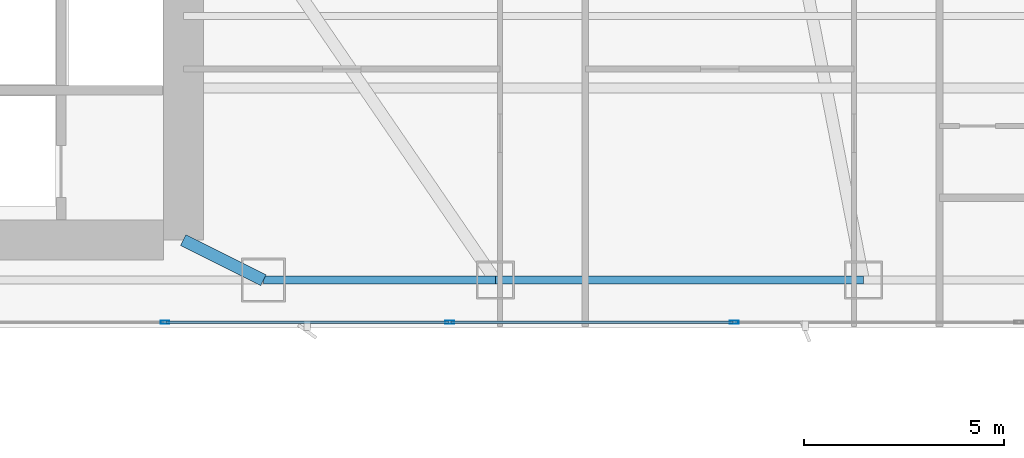
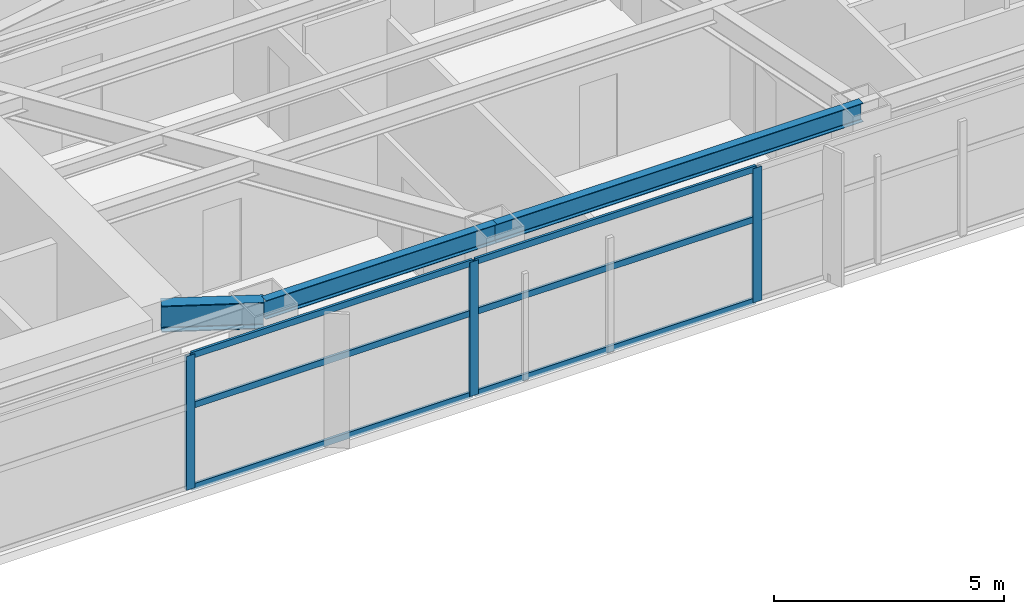
# One storey, part 12 of 29: 9 members, 3 beams, 1 element without a shape of its own.
"""IFC4 building model written with IfcOpenShell, lengths in metres."""

from ifc_helpers import new_model, si_unit, direction, frame, origin, origin_2d, place, context, subcontext, project, spatial, hollow_rectangle, i_section, extrude, material, layer, layer_set, material_profile, profile_set, type_object, element, aggregate, save


model = new_model("IFC4")

# Units and contexts
model_context = context("Model", 3, precision=1e-05, world=origin(), true_north=direction((0.0, 1.0)))
body_context = subcontext(model_context, "Body", "Model", "MODEL_VIEW")
ifc_project = project(units=[si_unit("LENGTHUNIT", "METRE"), si_unit("AREAUNIT", "SQUARE_METRE"), si_unit("VOLUMEUNIT", "CUBIC_METRE"), si_unit("PLANEANGLEUNIT", "RADIAN"), si_unit("MASSUNIT", "GRAM", prefix="KILO")], contexts=[model_context])

# Site, building, storey
site_placement = place(None, origin())
site = spatial("IfcSite", under=ifc_project, at=site_placement, CompositionType="ELEMENT")
building_placement = place(site_placement, origin())
building = spatial("IfcBuilding", under=site, at=building_placement, Name="Calvorn Quay Hotel", CompositionType="ELEMENT")
storey_placement = place(building_placement, frame((0.0, 0.0, 69.800048828125)))
storey = spatial("IfcBuildingStorey", under=building, at=storey_placement, Name="L16", CompositionType="ELEMENT", Elevation=69.800048828125)

# Beams
ifc_material_1 = material(Name="Steel Q390GJC", Category="steel")
ifc_material_profile_1 = material_profile(ifc_material_1, i_section(OverallWidth=0.300048828125, OverallDepth=0.699951171875, WebThickness=0.012939453125, FlangeThickness=0.02392578125, FilletRadius=0.02392578125, at=origin_2d()), Name="HN700x300x13x24")
ifc_profile_set_1 = profile_set([ifc_material_profile_1], Name="Steel Q390GJC")
beam_type_1 = type_object("IfcBeamType", Name="BM-GIRD-MAIN", PredefinedType="BEAM", material=ifc_profile_set_1)
beam_1_placement = place(storey_placement, frame((34.39990234375, 3.60009765625, 3.18994140625), z_axis=(-0.894427191, 0.4472135955, 0.0), x_axis=(-0.4472135955, -0.894427191, 0.0)))
element("IfcBeam", 1, at=beam_1_placement, inside=storey, type_object=beam_type_1, Name="Beam BG-L16-S3", PredefinedType="BEAM", context=body_context, shape_type="SweptSolid", body=[
    extrude(i_section(OverallWidth=0.300048828125, OverallDepth=0.699951171875, WebThickness=0.012939453125, FlangeThickness=0.02392578125, FilletRadius=0.02392578125, at=origin_2d()), origin(), (0.0, 0.0, 1.0), 2.236083984375),
])
ifc_material_2 = material(Name="Steel Q355B", Category="steel")
ifc_material_profile_2 = material_profile(ifc_material_2, i_section(OverallWidth=0.199951171875, OverallDepth=0.5, WebThickness=0.010009765625, FlangeThickness=0.01611328125, FilletRadius=0.01611328125, at=origin_2d()), Name="HN500x200x10x16")
ifc_profile_set_2 = profile_set([ifc_material_profile_2], Name="Steel Q355B")
beam_type_2 = type_object("IfcBeamType", Name="BM-SPANDREL-Z1", PredefinedType="SPANDREL", material=ifc_profile_set_2)
beam_2_placement = place(storey_placement, frame((34.39990234375, 3.60009765625, 3.2900390625), z_axis=(1.0, 0.0, 0.0), x_axis=(0.0, 1.0, 0.0)))
element("IfcBeam", 2, at=beam_2_placement, inside=storey, type_object=beam_type_2, Name="Beam BSP-L16-S4", PredefinedType="SPANDREL", context=body_context, shape_type="SweptSolid", body=[
    extrude(i_section(OverallWidth=0.199951171875, OverallDepth=0.5, WebThickness=0.010009765625, FlangeThickness=0.01611328125, FilletRadius=0.01611328125, at=origin_2d()), origin(), (0.0, 0.0, 1.0), 5.800048828125),
])
beam_3_placement = place(storey_placement, frame((40.199951171875, 3.60009765625, 3.2900390625), z_axis=(1.0, 0.0, 0.0), x_axis=(0.0, 1.0, 0.0)))
element("IfcBeam", 3, at=beam_3_placement, inside=storey, type_object=beam_type_2, Name="Beam BSP-L16-S5", PredefinedType="SPANDREL", context=body_context, shape_type="SweptSolid", body=[
    extrude(i_section(OverallWidth=0.199951171875, OverallDepth=0.5, WebThickness=0.010009765625, FlangeThickness=0.01611328125, FilletRadius=0.01611328125, at=origin_2d()), origin(), (0.0, 0.0, 1.0), 9.199951171875),
])

# Curtain wall, members
ifc_material_3 = material(Name="Pale Anodised Aluminium and Low-E Glass", Category="aluminium")
ifc_layer = layer(ifc_material_3, 0.219970703125)
ifc_layer_set = layer_set([ifc_layer], Name="CW-SYS-Z1")
curtain_wall_type = type_object("IfcCurtainWallType", Name="CW-SYS-Z1", PredefinedType="NOTDEFINED", material=ifc_layer_set)
curtain_wall_placement = place(storey_placement, origin())
curtain_wall = element("IfcCurtainWall", 4, at=curtain_wall_placement, inside=storey, type_object=curtain_wall_type, Name="Tower South Waterfront Curtain Wall (L16)", PredefinedType="NOTDEFINED")
ifc_material_4 = material(Name="Pale Anodised Aluminium 6063-T6", Category="aluminium")
ifc_material_profile_3 = material_profile(ifc_material_4, hollow_rectangle(XDim=0.074951171875, YDim=0.219970703125, WallThickness=0.00439453125, at=origin_2d()), Name="ALU-M220x75x4.5")
ifc_profile_set_3 = profile_set([ifc_material_profile_3], Name="Pale Anodised Aluminium 6063-T6")
member_type_1 = type_object("IfcMemberType", Name="CW-SYS-Z1-MUL", PredefinedType="MULLION", material=ifc_profile_set_3)
member_1_placement = place(storey_placement, frame((31.94287109375, 2.550048828125, 0.0), z_axis=(0.0, 0.0, 1.0), x_axis=(0.0, 1.0, 0.0)))
member_1 = element("IfcMember", 5, at=member_1_placement, type_object=member_type_1, Name="CW-L16-S mullion 4", PredefinedType="MULLION", context=body_context, shape_type="SweptSolid", body=[
    extrude(hollow_rectangle(XDim=0.074951171875, YDim=0.219970703125, WallThickness=0.00439453125, at=origin_2d()), origin(), (0.0, 0.0, 1.0), 3.56005859375),
])
member_2_placement = place(storey_placement, frame((39.05712890625, 2.550048828125, 0.0), z_axis=(0.0, 0.0, 1.0), x_axis=(0.0, 1.0, 0.0)))
member_2 = element("IfcMember", 6, at=member_2_placement, type_object=member_type_1, Name="CW-L16-S mullion 5", PredefinedType="MULLION", context=body_context, shape_type="SweptSolid", body=[
    extrude(hollow_rectangle(XDim=0.074951171875, YDim=0.219970703125, WallThickness=0.00439453125, at=origin_2d()), origin(), (0.0, 0.0, 1.0), 3.56005859375),
])
member_3_placement = place(storey_placement, frame((46.17138671875, 2.550048828125, 0.0), z_axis=(0.0, 0.0, 1.0), x_axis=(0.0, 1.0, 0.0)))
member_3 = element("IfcMember", 7, at=member_3_placement, type_object=member_type_1, Name="CW-L16-S mullion 6", PredefinedType="MULLION", context=body_context, shape_type="SweptSolid", body=[
    extrude(hollow_rectangle(XDim=0.074951171875, YDim=0.219970703125, WallThickness=0.00439453125, at=origin_2d()), origin(), (0.0, 0.0, 1.0), 3.56005859375),
])
ifc_material_5 = material(Name="Pale Anodised Aluminium 6063-T6", Category="aluminium")
ifc_material_profile_4 = material_profile(ifc_material_5, hollow_rectangle(XDim=0.06494140625, YDim=0.1650390625, WallThickness=0.00341796875, at=origin_2d()), Name="ALU-T165x65x3.5")
ifc_profile_set_4 = profile_set([ifc_material_profile_4], Name="Pale Anodised Aluminium 6063-T6")
member_type_2 = type_object("IfcMemberType", Name="CW-SYS-Z1-TRN", PredefinedType="USERDEFINED", material=ifc_profile_set_4)
member_4_placement = place(storey_placement, frame((31.972900390625, 2.550048828125, 0.030029296875), z_axis=(1.0, 0.0, 0.0), x_axis=(0.0, 1.0, 0.0)))
member_4 = element("IfcMember", 8, at=member_4_placement, type_object=member_type_2, Name="CW-L16-S transom 4.1", ObjectType="TRANSOM", PredefinedType="USERDEFINED", context=body_context, shape_type="SweptSolid", body=[
    extrude(hollow_rectangle(XDim=0.06494140625, YDim=0.1650390625, WallThickness=0.00341796875, at=origin_2d()), origin(), (0.0, 0.0, 1.0), 7.05419921875),
])
member_5_placement = place(storey_placement, frame((31.972900390625, 2.550048828125, 2.199951171875), z_axis=(1.0, 0.0, 0.0), x_axis=(0.0, 1.0, 0.0)))
member_5 = element("IfcMember", 9, at=member_5_placement, type_object=member_type_2, Name="CW-L16-S transom 4.2", ObjectType="TRANSOM", PredefinedType="USERDEFINED", context=body_context, shape_type="SweptSolid", body=[
    extrude(hollow_rectangle(XDim=0.06494140625, YDim=0.1650390625, WallThickness=0.00341796875, at=origin_2d()), origin(), (0.0, 0.0, 1.0), 7.05419921875),
])
member_6_placement = place(storey_placement, frame((31.972900390625, 2.550048828125, 3.530029296875), z_axis=(1.0, 0.0, 0.0), x_axis=(0.0, 1.0, 0.0)))
member_6 = element("IfcMember", 10, at=member_6_placement, type_object=member_type_2, Name="CW-L16-S transom 4.3", ObjectType="TRANSOM", PredefinedType="USERDEFINED", context=body_context, shape_type="SweptSolid", body=[
    extrude(hollow_rectangle(XDim=0.06494140625, YDim=0.1650390625, WallThickness=0.00341796875, at=origin_2d()), origin(), (0.0, 0.0, 1.0), 7.05419921875),
])
member_7_placement = place(storey_placement, frame((39.087158203125, 2.550048828125, 0.030029296875), z_axis=(1.0, 0.0, 0.0), x_axis=(0.0, 1.0, 0.0)))
member_7 = element("IfcMember", 11, at=member_7_placement, type_object=member_type_2, Name="CW-L16-S transom 5.1", ObjectType="TRANSOM", PredefinedType="USERDEFINED", context=body_context, shape_type="SweptSolid", body=[
    extrude(hollow_rectangle(XDim=0.06494140625, YDim=0.1650390625, WallThickness=0.00341796875, at=origin_2d()), origin(), (0.0, 0.0, 1.0), 7.05419921875),
])
member_8_placement = place(storey_placement, frame((39.087158203125, 2.550048828125, 2.199951171875), z_axis=(1.0, 0.0, 0.0), x_axis=(0.0, 1.0, 0.0)))
member_8 = element("IfcMember", 12, at=member_8_placement, type_object=member_type_2, Name="CW-L16-S transom 5.2", ObjectType="TRANSOM", PredefinedType="USERDEFINED", context=body_context, shape_type="SweptSolid", body=[
    extrude(hollow_rectangle(XDim=0.06494140625, YDim=0.1650390625, WallThickness=0.00341796875, at=origin_2d()), origin(), (0.0, 0.0, 1.0), 7.05419921875),
])
member_9_placement = place(storey_placement, frame((39.087158203125, 2.550048828125, 3.530029296875), z_axis=(1.0, 0.0, 0.0), x_axis=(0.0, 1.0, 0.0)))
member_9 = element("IfcMember", 13, at=member_9_placement, type_object=member_type_2, Name="CW-L16-S transom 5.3", ObjectType="TRANSOM", PredefinedType="USERDEFINED", context=body_context, shape_type="SweptSolid", body=[
    extrude(hollow_rectangle(XDim=0.06494140625, YDim=0.1650390625, WallThickness=0.00341796875, at=origin_2d()), origin(), (0.0, 0.0, 1.0), 7.05419921875),
])
aggregate(curtain_wall, [member_1, member_2, member_3, member_4, member_5, member_6, member_7, member_8, member_9])

save(model, "model.ifc")
